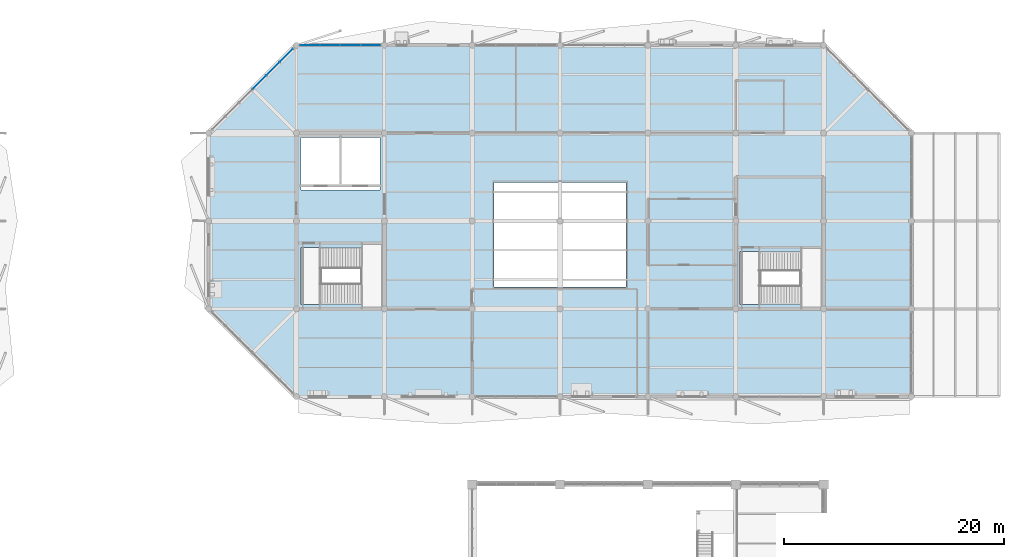
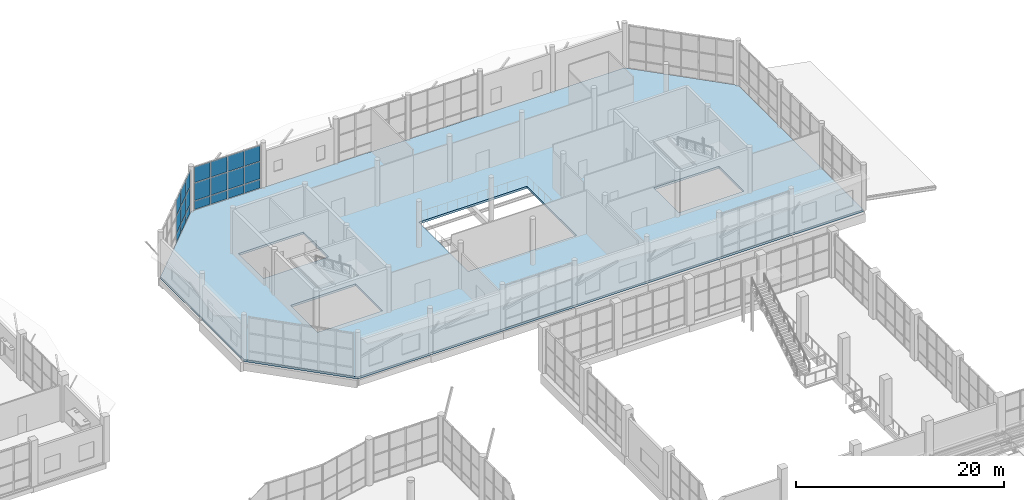
# One storey, part 90 of 122: 21 plates, 1 slab, 2 elements without a shape of their own.
"""IFC4 building model written with IfcOpenShell, lengths in metres."""

from ifc_helpers import new_model, si_unit, direction, frame, origin, origin_2d, place, context, subcontext, project, spatial, polyline, rectangle, outline, extrude, material, layer, layer_set, type_object, element, aggregate, save


model = new_model("IFC4")

# Units and contexts
model_context = context("Model", 3, precision=1e-05, world=origin(), true_north=direction((0.0, 1.0)))
body_context = subcontext(model_context, "Body", "Model", "MODEL_VIEW")
ifc_project = project(units=[si_unit("LENGTHUNIT", "METRE"), si_unit("AREAUNIT", "SQUARE_METRE"), si_unit("VOLUMEUNIT", "CUBIC_METRE"), si_unit("PLANEANGLEUNIT", "RADIAN"), si_unit("MASSUNIT", "GRAM", prefix="KILO")], contexts=[model_context])

# Site, building, storey
site_placement = place(None, origin())
site = spatial("IfcSite", under=ifc_project, at=site_placement, CompositionType="ELEMENT")
building_placement = place(site_placement, origin())
building = spatial("IfcBuilding", under=site, at=building_placement, Name="Tenunan Teduh Sports Hall", CompositionType="ELEMENT")
storey_placement = place(building_placement, frame((0.0, 0.0, 5.39990234375)))
storey = spatial("IfcBuildingStorey", under=building, at=storey_placement, Name="L01", CompositionType="ELEMENT", Elevation=5.39990234375)

# Curtain wall, plates
ifc_material_1 = material(Name="Anodised aluminium", Category="aluminium")
curtain_wall_type = type_object("IfcCurtainWallType", Name="CW-UNIT-1", PredefinedType="NOTDEFINED", material=ifc_material_1)
curtain_wall_1_placement = place(storey_placement, origin())
curtain_wall_1 = element("IfcCurtainWall", 1, at=curtain_wall_1_placement, inside=storey, type_object=curtain_wall_type, Name="CW-CWM-200-L01-252", PredefinedType="NOTDEFINED")
ifc_material_2 = material(Name="Low-E laminated double glazing", Category="glass")
ifc_layer_1 = layer(ifc_material_2, 0.028076171875)
ifc_layer_set_1 = layer_set([ifc_layer_1], Name="Low-E laminated double glazing")
plate_type_1 = type_object("IfcPlateType", Name="CWP-GLZ-28", PredefinedType="CURTAIN_PANEL", material=ifc_layer_set_1)
plate_1_placement = place(storey_placement, frame((102.61865234375, 114.61865234375, 1.13525390625), z_axis=(0.0, 0.0, 1.0), x_axis=(0.707106781187, 0.707106781187, 0.0)))
plate_1 = element("IfcPlate", 2, at=plate_1_placement, type_object=plate_type_1, Name="CW-01 panel 4.2", PredefinedType="CURTAIN_PANEL", context=body_context, shape_type="SweptSolid", body=[
    extrude(rectangle(XDim=1.679443359375, YDim=0.028076171875, at=origin_2d()), origin(), (0.0, 0.0, 1.0), 2.030029296875),
])
plate_2_placement = place(storey_placement, frame((102.61865234375, 114.61865234375, 3.235107421875), z_axis=(0.0, 0.0, 1.0), x_axis=(0.707106781187, 0.707106781187, 0.0)))
plate_2 = element("IfcPlate", 3, at=plate_2_placement, type_object=plate_type_1, Name="CW-01 panel 4.3", PredefinedType="CURTAIN_PANEL", context=body_context, shape_type="SweptSolid", body=[
    extrude(rectangle(XDim=1.679443359375, YDim=0.028076171875, at=origin_2d()), origin(), (0.0, 0.0, 1.0), 1.81494140625),
])
plate_3_placement = place(storey_placement, frame((103.855712890625, 115.855712890625, 1.13525390625), z_axis=(0.0, 0.0, 1.0), x_axis=(0.707106781187, 0.707106781187, 0.0)))
plate_3 = element("IfcPlate", 4, at=plate_3_placement, type_object=plate_type_1, Name="CW-01 panel 5.2", PredefinedType="CURTAIN_PANEL", context=body_context, shape_type="SweptSolid", body=[
    extrude(rectangle(XDim=1.679443359375, YDim=0.028076171875, at=origin_2d()), origin(), (0.0, 0.0, 1.0), 2.030029296875),
])
plate_4_placement = place(storey_placement, frame((103.855712890625, 115.855712890625, 3.235107421875), z_axis=(0.0, 0.0, 1.0), x_axis=(0.707106781187, 0.707106781187, 0.0)))
plate_4 = element("IfcPlate", 5, at=plate_4_placement, type_object=plate_type_1, Name="CW-01 panel 5.3", PredefinedType="CURTAIN_PANEL", context=body_context, shape_type="SweptSolid", body=[
    extrude(rectangle(XDim=1.679443359375, YDim=0.028076171875, at=origin_2d()), origin(), (0.0, 0.0, 1.0), 1.81494140625),
])
plate_5_placement = place(storey_placement, frame((105.080322265625, 117.080322265625, 1.13525390625), z_axis=(0.0, 0.0, 1.0), x_axis=(0.707106781187, 0.707106781187, 0.0)))
plate_5 = element("IfcPlate", 6, at=plate_5_placement, type_object=plate_type_1, Name="CW-01 panel 6.2", PredefinedType="CURTAIN_PANEL", context=body_context, shape_type="SweptSolid", body=[
    extrude(rectangle(XDim=1.64453125, YDim=0.028076171875, at=origin_2d()), origin(), (0.0, 0.0, 1.0), 2.030029296875),
])
plate_6_placement = place(storey_placement, frame((105.080322265625, 117.080322265625, 3.235107421875), z_axis=(0.0, 0.0, 1.0), x_axis=(0.707106781187, 0.707106781187, 0.0)))
plate_6 = element("IfcPlate", 7, at=plate_6_placement, type_object=plate_type_1, Name="CW-01 panel 6.3", PredefinedType="CURTAIN_PANEL", context=body_context, shape_type="SweptSolid", body=[
    extrude(rectangle(XDim=1.64453125, YDim=0.028076171875, at=origin_2d()), origin(), (0.0, 0.0, 1.0), 1.81494140625),
])

curtain_wall_2_placement = place(storey_placement, origin())
curtain_wall_2 = element("IfcCurtainWall", 8, at=curtain_wall_2_placement, inside=storey, type_object=curtain_wall_type, Name="CW-CWM-220-L01-249", PredefinedType="NOTDEFINED")
ifc_material_3 = material(Name="Solar-control laminated glazing", Category="glass")
ifc_layer_2 = layer(ifc_material_3, 0.031982421875)
ifc_layer_set_2 = layer_set([ifc_layer_2], Name="Solar-control laminated glazing")
plate_type_2 = type_object("IfcPlateType", Name="CWP-GLZ-32", PredefinedType="CURTAIN_PANEL", material=ifc_layer_set_2)
plate_7_placement = place(storey_placement, frame((107.22509765625, 118.0, 1.1376953125), z_axis=(0.0, 0.0, 1.0), x_axis=(1.0, 0.0, 0.0)))
plate_7 = element("IfcPlate", 9, at=plate_7_placement, type_object=plate_type_2, Name="CW-01 panel 1.2", PredefinedType="CURTAIN_PANEL", context=body_context, shape_type="SweptSolid", body=[
    extrude(rectangle(XDim=1.75, YDim=0.031982421875, at=origin_2d()), origin(), (0.0, 0.0, 1.0), 2.02490234375),
])
plate_8_placement = place(storey_placement, frame((107.22509765625, 118.0, 3.237548828125), z_axis=(0.0, 0.0, 1.0), x_axis=(1.0, 0.0, 0.0)))
plate_8 = element("IfcPlate", 10, at=plate_8_placement, type_object=plate_type_2, Name="CW-01 panel 1.3", PredefinedType="CURTAIN_PANEL", context=body_context, shape_type="SweptSolid", body=[
    extrude(rectangle(XDim=1.75, YDim=0.031982421875, at=origin_2d()), origin(), (0.0, 0.0, 1.0), 1.8076171875),
])
plate_9_placement = place(storey_placement, frame((109.06884765625, 118.0, 1.1376953125), z_axis=(0.0, 0.0, 1.0), x_axis=(1.0, 0.0, 0.0)))
plate_9 = element("IfcPlate", 11, at=plate_9_placement, type_object=plate_type_2, Name="CW-01 panel 2.2", PredefinedType="CURTAIN_PANEL", context=body_context, shape_type="SweptSolid", body=[
    extrude(rectangle(XDim=1.78759765625, YDim=0.031982421875, at=origin_2d()), origin(), (0.0, 0.0, 1.0), 2.02490234375),
])
plate_10_placement = place(storey_placement, frame((109.06884765625, 118.0, 3.237548828125), z_axis=(0.0, 0.0, 1.0), x_axis=(1.0, 0.0, 0.0)))
plate_10 = element("IfcPlate", 12, at=plate_10_placement, type_object=plate_type_2, Name="CW-01 panel 2.3", PredefinedType="CURTAIN_PANEL", context=body_context, shape_type="SweptSolid", body=[
    extrude(rectangle(XDim=1.78759765625, YDim=0.031982421875, at=origin_2d()), origin(), (0.0, 0.0, 1.0), 1.8076171875),
])
plate_11_placement = place(storey_placement, frame((110.93115234375, 118.0, 1.1376953125), z_axis=(0.0, 0.0, 1.0), x_axis=(1.0, 0.0, 0.0)))
plate_11 = element("IfcPlate", 13, at=plate_11_placement, type_object=plate_type_2, Name="CW-01 panel 3.2", PredefinedType="CURTAIN_PANEL", context=body_context, shape_type="SweptSolid", body=[
    extrude(rectangle(XDim=1.78759765625, YDim=0.031982421875, at=origin_2d()), origin(), (0.0, 0.0, 1.0), 2.02490234375),
])
plate_12_placement = place(storey_placement, frame((110.93115234375, 118.0, 3.237548828125), z_axis=(0.0, 0.0, 1.0), x_axis=(1.0, 0.0, 0.0)))
plate_12 = element("IfcPlate", 14, at=plate_12_placement, type_object=plate_type_2, Name="CW-01 panel 3.3", PredefinedType="CURTAIN_PANEL", context=body_context, shape_type="SweptSolid", body=[
    extrude(rectangle(XDim=1.78759765625, YDim=0.031982421875, at=origin_2d()), origin(), (0.0, 0.0, 1.0), 1.8076171875),
])
plate_13_placement = place(storey_placement, frame((112.77490234375, 118.0, 1.1376953125), z_axis=(0.0, 0.0, 1.0), x_axis=(1.0, 0.0, 0.0)))
plate_13 = element("IfcPlate", 15, at=plate_13_placement, type_object=plate_type_2, Name="CW-01 panel 4.2", PredefinedType="CURTAIN_PANEL", context=body_context, shape_type="SweptSolid", body=[
    extrude(rectangle(XDim=1.75, YDim=0.031982421875, at=origin_2d()), origin(), (0.0, 0.0, 1.0), 2.02490234375),
])
plate_14_placement = place(storey_placement, frame((112.77490234375, 118.0, 3.237548828125), z_axis=(0.0, 0.0, 1.0), x_axis=(1.0, 0.0, 0.0)))
plate_14 = element("IfcPlate", 16, at=plate_14_placement, type_object=plate_type_2, Name="CW-01 panel 4.3", PredefinedType="CURTAIN_PANEL", context=body_context, shape_type="SweptSolid", body=[
    extrude(rectangle(XDim=1.75, YDim=0.031982421875, at=origin_2d()), origin(), (0.0, 0.0, 1.0), 1.8076171875),
])
ifc_material_4 = material(Name="Insulated aluminium spandrel panel", Category="aluminium")
ifc_layer_3 = layer(ifc_material_4, 0.044921875)
ifc_layer_set_3 = layer_set([ifc_layer_3], Name="Insulated aluminium spandrel panel")
plate_type_3 = type_object("IfcPlateType", Name="CWP-SPN-45", PredefinedType="CURTAIN_PANEL", material=ifc_layer_set_3)
plate_15_placement = place(storey_placement, frame((107.22509765625, 118.0, 0.0751953125), z_axis=(0.0, 0.0, 1.0), x_axis=(1.0, 0.0, 0.0)))
plate_15 = element("IfcPlate", 17, at=plate_15_placement, type_object=plate_type_3, Name="CW-01 panel 1.1", PredefinedType="CURTAIN_PANEL", context=body_context, shape_type="SweptSolid", body=[
    extrude(rectangle(XDim=1.75, YDim=0.031982421875, at=origin_2d()), origin(), (0.0, 0.0, 1.0), 0.987548828125),
])
plate_16_placement = place(storey_placement, frame((109.06884765625, 118.0, 0.0751953125), z_axis=(0.0, 0.0, 1.0), x_axis=(1.0, 0.0, 0.0)))
plate_16 = element("IfcPlate", 18, at=plate_16_placement, type_object=plate_type_3, Name="CW-01 panel 2.1", PredefinedType="CURTAIN_PANEL", context=body_context, shape_type="SweptSolid", body=[
    extrude(rectangle(XDim=1.78759765625, YDim=0.031982421875, at=origin_2d()), origin(), (0.0, 0.0, 1.0), 0.987548828125),
])
plate_17_placement = place(storey_placement, frame((110.93115234375, 118.0, 0.0751953125), z_axis=(0.0, 0.0, 1.0), x_axis=(1.0, 0.0, 0.0)))
plate_17 = element("IfcPlate", 19, at=plate_17_placement, type_object=plate_type_3, Name="CW-01 panel 3.1", PredefinedType="CURTAIN_PANEL", context=body_context, shape_type="SweptSolid", body=[
    extrude(rectangle(XDim=1.78759765625, YDim=0.031982421875, at=origin_2d()), origin(), (0.0, 0.0, 1.0), 0.987548828125),
])
plate_18_placement = place(storey_placement, frame((112.77490234375, 118.0, 0.0751953125), z_axis=(0.0, 0.0, 1.0), x_axis=(1.0, 0.0, 0.0)))
plate_18 = element("IfcPlate", 20, at=plate_18_placement, type_object=plate_type_3, Name="CW-01 panel 4.1", PredefinedType="CURTAIN_PANEL", context=body_context, shape_type="SweptSolid", body=[
    extrude(rectangle(XDim=1.75, YDim=0.031982421875, at=origin_2d()), origin(), (0.0, 0.0, 1.0), 0.987548828125),
])
aggregate(curtain_wall_2, [plate_15, plate_7, plate_8, plate_16, plate_9, plate_10, plate_17, plate_11, plate_12, plate_18, plate_13, plate_14])

# Plate
plate_19_placement = place(storey_placement, frame((102.61865234375, 114.61865234375, 0.070068359375), z_axis=(0.0, 0.0, 1.0), x_axis=(0.707106781187, 0.707106781187, 0.0)))
plate_19 = element("IfcPlate", 21, at=plate_19_placement, type_object=plate_type_3, Name="CW-01 panel 4.1", PredefinedType="CURTAIN_PANEL", context=body_context, shape_type="SweptSolid", body=[
    extrude(rectangle(XDim=1.679443359375, YDim=0.028076171875, at=origin_2d()), origin(), (0.0, 0.0, 1.0), 0.9951171875),
])

plate_20_placement = place(storey_placement, frame((103.855712890625, 115.855712890625, 0.070068359375), z_axis=(0.0, 0.0, 1.0), x_axis=(0.707106781187, 0.707106781187, 0.0)))
plate_20 = element("IfcPlate", 22, at=plate_20_placement, type_object=plate_type_3, Name="CW-01 panel 5.1", PredefinedType="CURTAIN_PANEL", context=body_context, shape_type="SweptSolid", body=[
    extrude(rectangle(XDim=1.679443359375, YDim=0.028076171875, at=origin_2d()), origin(), (0.0, 0.0, 1.0), 0.9951171875),
])

plate_21_placement = place(storey_placement, frame((105.080322265625, 117.080322265625, 0.070068359375), z_axis=(0.0, 0.0, 1.0), x_axis=(0.707106781187, 0.707106781187, 0.0)))
plate_21 = element("IfcPlate", 23, at=plate_21_placement, type_object=plate_type_3, Name="CW-01 panel 6.1", PredefinedType="CURTAIN_PANEL", context=body_context, shape_type="SweptSolid", body=[
    extrude(rectangle(XDim=1.64453125, YDim=0.028076171875, at=origin_2d()), origin(), (0.0, 0.0, 1.0), 0.9951171875),
])

aggregate(curtain_wall_1, [plate_19, plate_1, plate_2, plate_20, plate_3, plate_4, plate_21, plate_5, plate_6])

# Slab
ifc_material_5 = material(Name="Concrete C40/50", Category="concrete")
ifc_layer_4 = layer(ifc_material_5, 0.25)
ifc_layer_set_4 = layer_set([ifc_layer_4], Name="Concrete C40/50")
slab_type = type_object("IfcSlabType", Name="SLB-FLR-250", PredefinedType="FLOOR", material=ifc_layer_set_4)
slab_placement = place(storey_placement, frame((0.0, 0.0, -0.25)))
element("IfcSlab", 24, at=slab_placement, inside=storey, type_object=slab_type, Name="SL-L01-V5E", PredefinedType="FLOOR", context=body_context, shape_type="SweptSolid", body=[
    extrude(outline(polyline([(106.0, 86.0), (162.0, 86.0), (162.0, 110.0), (154.0, 118.0), (106.0, 118.0), (98.0, 110.0), (98.0, 94.0), (106.0, 86.0)]), holes=[polyline([(106.39990234375, 94.39990234375), (113.60009765625, 94.39990234375), (113.60009765625, 99.60009765625), (106.39990234375, 99.60009765625), (106.39990234375, 94.39990234375)]), polyline([(106.39990234375, 104.800048828125), (113.60009765625, 104.800048828125), (113.60009765625, 109.60009765625), (106.39990234375, 109.60009765625), (106.39990234375, 104.800048828125)]), polyline([(146.39990234375, 94.39990234375), (153.60009765625, 94.39990234375), (153.60009765625, 99.199951171875), (146.39990234375, 99.199951171875), (146.39990234375, 94.39990234375)]), polyline([(124.0, 96.0), (136.0, 96.0), (136.0, 105.5), (124.0, 105.5), (124.0, 96.0)])]), origin(), (0.0, 0.0, 1.0), 0.25),
])

save(model, "model.ifc")
